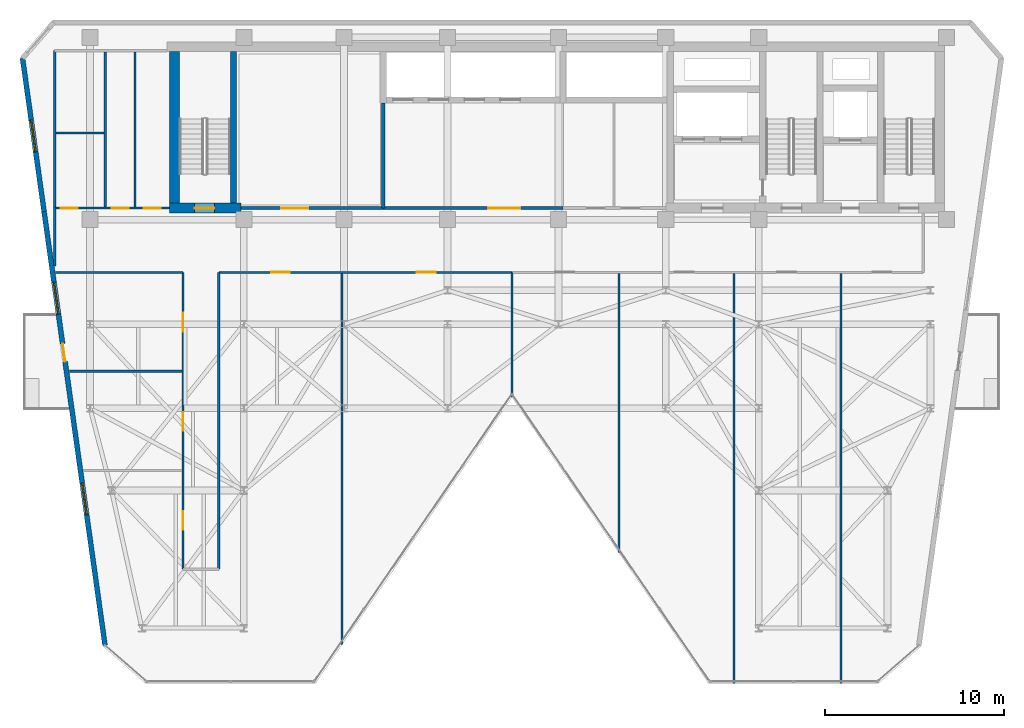
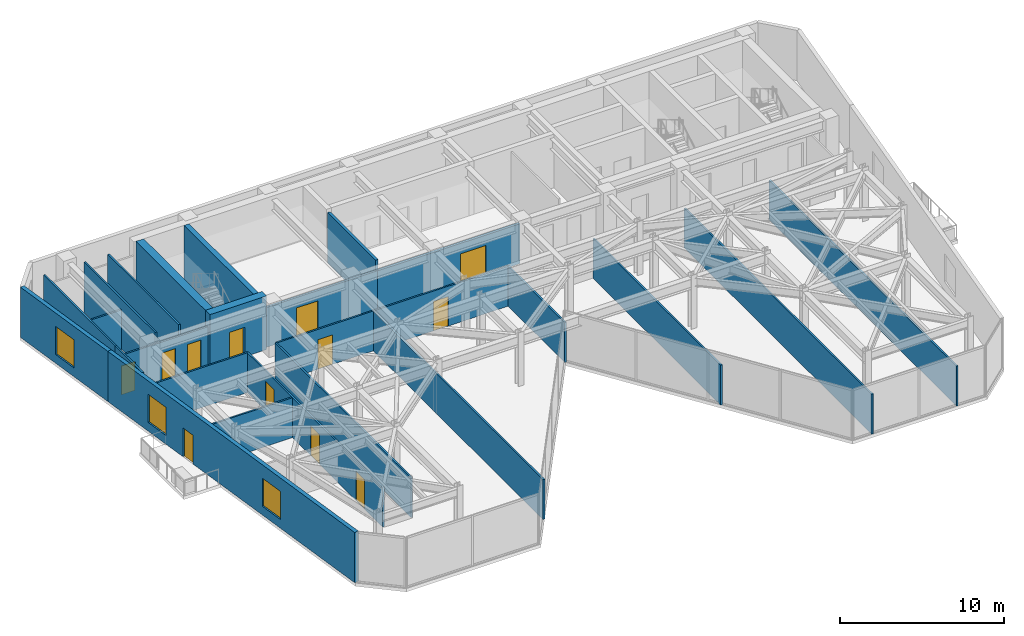
# One storey, part 16 of 21: 24 walls, 12 doors, 3 windows, 15 openings.
"""IFC4 building model written with IfcOpenShell, lengths in metres."""

from ifc_helpers import new_model, si_unit, direction, frame, frame_2d, origin, place, context, subcontext, project, spatial, rectangle, extrude, material, layer, layer_set, type_object, element, fill, save


model = new_model("IFC4")

# Units and contexts
model_context = context("Model", 3, precision=1e-05, world=origin(), true_north=direction((0.0, 1.0)))
body_context = subcontext(model_context, "Body", "Model", "MODEL_VIEW")
ifc_project = project(units=[si_unit("LENGTHUNIT", "METRE"), si_unit("AREAUNIT", "SQUARE_METRE"), si_unit("VOLUMEUNIT", "CUBIC_METRE"), si_unit("PLANEANGLEUNIT", "RADIAN"), si_unit("MASSUNIT", "GRAM", prefix="KILO")], contexts=[model_context])

# Site, building, storey
site_placement = place(None, origin())
site = spatial("IfcSite", under=ifc_project, at=site_placement, CompositionType="ELEMENT")
building_placement = place(site_placement, origin())
building = spatial("IfcBuilding", under=site, at=building_placement, Name="Kravanh Interchange Tower", CompositionType="ELEMENT")
storey_placement = place(building_placement, frame((0.0, 0.0, 216.5)))
storey = spatial("IfcBuildingStorey", under=building, at=storey_placement, Name="L52", CompositionType="ELEMENT", Elevation=216.5)

# Wall, openings, doors
ifc_material_1 = material(Name="Double Acoustic Gypsum Board and Mineral Wool")
ifc_layer_1 = layer(ifc_material_1, 0.1201171875)
ifc_layer_set_1 = layer_set([ifc_layer_1], Name="Acoustic Office Drywall Partition 120mm")
wall_type_1 = type_object("IfcWallType", Name="Acoustic Office Drywall Partition 120mm", PredefinedType="PARTITIONING", material=ifc_layer_set_1)
wall_1_placement = place(storey_placement, frame((16.6201171875, 38.0, 0.0), z_axis=(0.0, 0.0, 1.0), x_axis=(1.0, 0.0, 0.0)))
wall_1 = element("IfcWall", 1, at=wall_1_placement, inside=storey, type_object=wall_type_1, Name="L52 Restroom Corridor Wall 6", PredefinedType="PARTITIONING", context=body_context, shape_type="SweptSolid", body=[
    extrude(rectangle(XDim=6.429931640625, YDim=0.1201171875, at=frame_2d((3.21484375, 0.0))), origin(), (0.0, 0.0, 1.0), 2.971923828125),
])
opening_1_placement = place(wall_1_placement, frame((0.348876953125, 0.0, 0.0)))
opening_1 = element("IfcOpeningElement", 2, at=opening_1_placement, cuts=wall_1, Name="Opening D-95", PredefinedType="OPENING", context=body_context, shape_type="SweptSolid", body=[
    extrude(rectangle(XDim=0.949951171875, YDim=2.14990234375, at=frame_2d((0.47509765625, 1.074951171875))), frame((0.0, 0.070068359375, 0.0), z_axis=(0.0, -1.0, 0.0), x_axis=(1.0, 0.0, 0.0)), (0.0, 0.0, 1.0), 0.14013671875),
])
opening_2_placement = place(wall_1_placement, frame((3.18505859375, 0.0, 0.0)))
opening_2 = element("IfcOpeningElement", 3, at=opening_2_placement, cuts=wall_1, Name="Opening D-95", PredefinedType="OPENING", context=body_context, shape_type="SweptSolid", body=[
    extrude(rectangle(XDim=0.949951171875, YDim=2.14990234375, at=frame_2d((0.47509765625, 1.074951171875))), frame((0.0, 0.070068359375, 0.0), z_axis=(0.0, -1.0, 0.0), x_axis=(1.0, 0.0, 0.0)), (0.0, 0.0, 1.0), 0.14013671875),
])
opening_3_placement = place(wall_1_placement, frame((4.97509765625, 0.0, 0.0)))
opening_3 = element("IfcOpeningElement", 4, at=opening_3_placement, cuts=wall_1, Name="Opening D-95", PredefinedType="OPENING", context=body_context, shape_type="SweptSolid", body=[
    extrude(rectangle(XDim=0.949951171875, YDim=2.14990234375, at=frame_2d((0.47509765625, 1.074951171875))), frame((0.0, 0.070068359375, 0.0), z_axis=(0.0, -1.0, 0.0), x_axis=(1.0, 0.0, 0.0)), (0.0, 0.0, 1.0), 0.14013671875),
])
ifc_material_2 = material(Name="Laminate Solid-Core Timber", Category="wood")
door_type_1 = type_object("IfcDoorType", Name="Accessible Restroom Door 950x2150", OperationType="NOTDEFINED", PredefinedType="DOOR", material=ifc_material_2)
door_1_placement = place(opening_1_placement, origin())
door_1 = element("IfcDoor", 5, at=door_1_placement, inside=storey, type_object=door_type_1, Name="L52 Accessible WC Door", OperationType="SINGLE_SWING_RIGHT", OverallHeight=2.14990234375, OverallWidth=0.949951171875, PredefinedType="DOOR", context=body_context, shape_type="SweptSolid", body=[
    extrude(rectangle(XDim=0.949951171875, YDim=2.14990234375, at=frame_2d((0.47509765625, 1.074951171875))), frame((0.0, 0.02490234375, 0.0), z_axis=(0.0, -1.0, 0.0), x_axis=(1.0, 0.0, 0.0)), (0.0, 0.0, 1.0), 0.050048828125),
])
fill(opening_1, door_1)
door_2_placement = place(opening_2_placement, origin())
door_2 = element("IfcDoor", 6, at=door_2_placement, inside=storey, type_object=door_type_1, Name="L52 Female WC Door", OperationType="SINGLE_SWING_LEFT", OverallHeight=2.14990234375, OverallWidth=0.949951171875, PredefinedType="DOOR", context=body_context, shape_type="SweptSolid", body=[
    extrude(rectangle(XDim=0.949951171875, YDim=2.14990234375, at=frame_2d((0.47509765625, 1.074951171875))), frame((0.0, 0.02490234375, 0.0), z_axis=(0.0, -1.0, 0.0), x_axis=(1.0, 0.0, 0.0)), (0.0, 0.0, 1.0), 0.050048828125),
])
fill(opening_2, door_2)
door_3_placement = place(opening_3_placement, origin())
door_3 = element("IfcDoor", 7, at=door_3_placement, inside=storey, type_object=door_type_1, Name="L52 Male WC Door", OperationType="SINGLE_SWING_RIGHT", OverallHeight=2.14990234375, OverallWidth=0.949951171875, PredefinedType="DOOR", context=body_context, shape_type="SweptSolid", body=[
    extrude(rectangle(XDim=0.949951171875, YDim=2.14990234375, at=frame_2d((0.47509765625, 1.074951171875))), frame((0.0, 0.02490234375, 0.0), z_axis=(0.0, -1.0, 0.0), x_axis=(1.0, 0.0, 0.0)), (0.0, 0.0, 1.0), 0.050048828125),
])
fill(opening_3, door_3)

# Walls
wall_2_placement = place(storey_placement, frame((16.6201171875, 38.0, 0.0), z_axis=(0.0, 0.0, 1.0), x_axis=(0.0, 1.0, 0.0)))
element("IfcWall", 8, at=wall_2_placement, inside=storey, type_object=wall_type_1, Name="L52 Restroom West Enclosure 7", PredefinedType="PARTITIONING", context=body_context, shape_type="SweptSolid", body=[
    extrude(rectangle(XDim=8.800048828125, YDim=0.1201171875, at=frame_2d((4.39990234375, 0.0))), origin(), (0.0, 0.0, 1.0), 3.7451171875),
])
for number, where, z_axis, x_axis, name in (
    (9, (19.449951171875, 38.068115234375, 0.0), (0.0, 0.0, 1.0), (0.0, 1.0, 0.0), "L52 Interior Partition 9"),
    (10, (21.110107421875, 38.068115234375, 0.0), (0.0, 0.0, 1.0), (0.0, 1.0, 0.0), "L52 Interior Partition 10"),
):
    element("IfcWall", number, at=place(storey_placement, frame(where, z_axis=z_axis, x_axis=x_axis)), inside=storey, type_object=wall_type_1, Name=name, PredefinedType="PARTITIONING", context=body_context, shape_type="SweptSolid", body=[
        extrude(rectangle(XDim=8.663818359375, YDim=0.1201171875, at=frame_2d((4.33203125, 0.0))), origin(), (0.0, 0.0, 1.0), 3.7451171875),
    ])
wall_3_placement = place(storey_placement, frame((16.68798828125, 42.199951171875, 0.0), z_axis=(0.0, 0.0, 1.0), x_axis=(1.0, 0.0, 0.0)))
element("IfcWall", 11, at=wall_3_placement, inside=storey, type_object=wall_type_1, Name="L52 Interior Partition 11", PredefinedType="PARTITIONING", context=body_context, shape_type="SweptSolid", body=[
    extrude(rectangle(XDim=2.694091796875, YDim=0.1201171875, at=frame_2d((1.34716796875, 0.0))), origin(), (0.0, 0.0, 1.0), 2.971923828125),
])
wall_4_placement = place(storey_placement, frame((16.66943359375, 34.39990234375, 0.0), z_axis=(0.0, 0.0, 1.0), x_axis=(1.0, 0.0, 0.0)))
element("IfcWall", 12, at=wall_4_placement, inside=storey, type_object=wall_type_1, Name="L52 Interior Partition 12", PredefinedType="PARTITIONING", context=body_context, shape_type="SweptSolid", body=[
    extrude(rectangle(XDim=7.130615234375, YDim=0.1201171875, at=frame_2d((3.5654296875, 0.0))), origin(), (0.0, 0.0, 1.0), 2.971923828125),
])

# Wall, openings, doors
wall_5_placement = place(storey_placement, frame((25.800048828125, 34.39990234375, 0.0), z_axis=(0.0, 0.0, 1.0), x_axis=(1.0, 0.0, 0.0)))
wall_5 = element("IfcWall", 13, at=wall_5_placement, inside=storey, type_object=wall_type_1, Name="L52 Interior Partition 13", PredefinedType="PARTITIONING", context=body_context, shape_type="SweptSolid", body=[
    extrude(rectangle(XDim=16.39990234375, YDim=0.1201171875, at=frame_2d((8.199951171875, 0.0))), origin(), (0.0, 0.0, 1.0), 2.971923828125),
])
opening_4_placement = place(wall_5_placement, frame((2.919921875, 0.0, 0.0)))
opening_4 = element("IfcOpeningElement", 14, at=opening_4_placement, cuts=wall_5, Name="Opening D-105", PredefinedType="OPENING", context=body_context, shape_type="SweptSolid", body=[
    extrude(rectangle(XDim=1.050048828125, YDim=2.199951171875, at=frame_2d((0.52490234375, 1.10009765625))), frame((0.0, 0.070068359375, 0.0), z_axis=(0.0, -1.0, 0.0), x_axis=(1.0, 0.0, 0.0)), (0.0, 0.0, 1.0), 0.14013671875),
])
opening_5_placement = place(wall_5_placement, frame((11.079833984375, 0.0, 0.0)))
opening_5 = element("IfcOpeningElement", 15, at=opening_5_placement, cuts=wall_5, Name="Opening D-105", PredefinedType="OPENING", context=body_context, shape_type="SweptSolid", body=[
    extrude(rectangle(XDim=1.050048828125, YDim=2.199951171875, at=frame_2d((0.52490234375, 1.10009765625))), frame((0.0, 0.070068359375, 0.0), z_axis=(0.0, -1.0, 0.0), x_axis=(1.0, 0.0, 0.0)), (0.0, 0.0, 1.0), 0.14013671875),
])
ifc_material_3 = material(Name="Acoustic Glazed Oak and Aluminium", Category="aluminium")
door_type_2 = type_object("IfcDoorType", Name="Office Workplace Door 1050x2200", OperationType="NOTDEFINED", PredefinedType="DOOR", material=ifc_material_3)
door_4_placement = place(opening_4_placement, origin())
door_4 = element("IfcDoor", 16, at=door_4_placement, inside=storey, type_object=door_type_2, Name="L52 Workplace Office 14A Door", OperationType="SINGLE_SWING_RIGHT", OverallHeight=2.199951171875, OverallWidth=1.050048828125, PredefinedType="DOOR", context=body_context, shape_type="SweptSolid", body=[
    extrude(rectangle(XDim=1.050048828125, YDim=2.199951171875, at=frame_2d((0.52490234375, 1.10009765625))), frame((0.0, 0.02490234375, 0.0), z_axis=(0.0, -1.0, 0.0), x_axis=(1.0, 0.0, 0.0)), (0.0, 0.0, 1.0), 0.050048828125),
])
fill(opening_4, door_4)
door_5_placement = place(opening_5_placement, origin())
door_5 = element("IfcDoor", 17, at=door_5_placement, inside=storey, type_object=door_type_2, Name="L52 Commons Lounge 14A Door", OperationType="SINGLE_SWING_LEFT", OverallHeight=2.199951171875, OverallWidth=1.050048828125, PredefinedType="DOOR", context=body_context, shape_type="SweptSolid", body=[
    extrude(rectangle(XDim=1.050048828125, YDim=2.199951171875, at=frame_2d((0.52490234375, 1.10009765625))), frame((0.0, 0.02490234375, 0.0), z_axis=(0.0, -1.0, 0.0), x_axis=(1.0, 0.0, 0.0)), (0.0, 0.0, 1.0), 0.050048828125),
])
fill(opening_5, door_5)

# Wall
wall_6_placement = place(storey_placement, frame((16.6201171875, 34.751953125, 0.0), z_axis=(0.0, 0.0, 1.0), x_axis=(0.0, 1.0, 0.0)))
element("IfcWall", 18, at=wall_6_placement, inside=storey, type_object=wall_type_1, Name="L52 Interior Partition 15", PredefinedType="PARTITIONING", context=body_context, shape_type="SweptSolid", body=[
    extrude(rectangle(XDim=3.298095703125, YDim=0.1201171875, at=frame_2d((1.64892578125, 0.0))), origin(), (0.0, 0.0, 1.0), 3.7451171875),
])

# Wall, openings, doors
wall_7_placement = place(storey_placement, frame((23.800048828125, 17.800048828125, 0.0), z_axis=(0.0, 0.0, 1.0), x_axis=(0.0, 1.0, 0.0)))
wall_7 = element("IfcWall", 19, at=wall_7_placement, inside=storey, type_object=wall_type_1, Name="L52 Interior Partition 17", PredefinedType="PARTITIONING", context=body_context, shape_type="SweptSolid", body=[
    extrude(rectangle(XDim=16.599853515625, YDim=0.1201171875, at=frame_2d((8.2998046875, 0.0))), origin(), (0.0, 0.0, 1.0), 2.971923828125),
])
opening_6_placement = place(wall_7_placement, frame((2.19970703125, 0.0, 0.0)))
opening_6 = element("IfcOpeningElement", 20, at=opening_6_placement, cuts=wall_7, Name="Opening D-105", PredefinedType="OPENING", context=body_context, shape_type="SweptSolid", body=[
    extrude(rectangle(XDim=1.050048828125, YDim=2.199951171875, at=frame_2d((0.52490234375, 1.10009765625))), frame((0.0, 0.070068359375, 0.0), z_axis=(0.0, -1.0, 0.0), x_axis=(1.0, 0.0, 0.0)), (0.0, 0.0, 1.0), 0.14013671875),
])
opening_7_placement = place(wall_7_placement, frame((7.734619140625, 0.0, 0.0)))
opening_7 = element("IfcOpeningElement", 21, at=opening_7_placement, cuts=wall_7, Name="Opening D-105", PredefinedType="OPENING", context=body_context, shape_type="SweptSolid", body=[
    extrude(rectangle(XDim=1.050048828125, YDim=2.199951171875, at=frame_2d((0.52490234375, 1.10009765625))), frame((0.0, 0.070068359375, 0.0), z_axis=(0.0, -1.0, 0.0), x_axis=(1.0, 0.0, 0.0)), (0.0, 0.0, 1.0), 0.14013671875),
])
opening_8_placement = place(wall_7_placement, frame((13.284912109375, 0.0, 0.0)))
opening_8 = element("IfcOpeningElement", 22, at=opening_8_placement, cuts=wall_7, Name="Opening D-105", PredefinedType="OPENING", context=body_context, shape_type="SweptSolid", body=[
    extrude(rectangle(XDim=1.050048828125, YDim=2.199951171875, at=frame_2d((0.52490234375, 1.10009765625))), frame((0.0, 0.070068359375, 0.0), z_axis=(0.0, -1.0, 0.0), x_axis=(1.0, 0.0, 0.0)), (0.0, 0.0, 1.0), 0.14013671875),
])
door_6_placement = place(opening_6_placement, origin())
door_6 = element("IfcDoor", 23, at=door_6_placement, inside=storey, type_object=door_type_2, Name="L52 SW Office 14D Door", OperationType="SINGLE_SWING_LEFT", OverallHeight=2.199951171875, OverallWidth=1.050048828125, PredefinedType="DOOR", context=body_context, shape_type="SweptSolid", body=[
    extrude(rectangle(XDim=1.050048828125, YDim=2.199951171875, at=frame_2d((0.52490234375, 1.10009765625))), frame((0.0, 0.02490234375, 0.0), z_axis=(0.0, -1.0, 0.0), x_axis=(1.0, 0.0, 0.0)), (0.0, 0.0, 1.0), 0.050048828125),
])
fill(opening_6, door_6)
door_7_placement = place(opening_7_placement, origin())
door_7 = element("IfcDoor", 24, at=door_7_placement, inside=storey, type_object=door_type_2, Name="L52 West Study 14B Door", OperationType="SINGLE_SWING_RIGHT", OverallHeight=2.199951171875, OverallWidth=1.050048828125, PredefinedType="DOOR", context=body_context, shape_type="SweptSolid", body=[
    extrude(rectangle(XDim=1.050048828125, YDim=2.199951171875, at=frame_2d((0.52490234375, 1.10009765625))), frame((0.0, 0.02490234375, 0.0), z_axis=(0.0, -1.0, 0.0), x_axis=(1.0, 0.0, 0.0)), (0.0, 0.0, 1.0), 0.050048828125),
])
fill(opening_7, door_7)
door_8_placement = place(opening_8_placement, origin())
door_8 = element("IfcDoor", 25, at=door_8_placement, inside=storey, type_object=door_type_2, Name="L52 West Tea Kitchenette Door", OperationType="SINGLE_SWING_LEFT", OverallHeight=2.199951171875, OverallWidth=1.050048828125, PredefinedType="DOOR", context=body_context, shape_type="SweptSolid", body=[
    extrude(rectangle(XDim=1.050048828125, YDim=2.199951171875, at=frame_2d((0.52490234375, 1.10009765625))), frame((0.0, 0.02490234375, 0.0), z_axis=(0.0, -1.0, 0.0), x_axis=(1.0, 0.0, 0.0)), (0.0, 0.0, 1.0), 0.050048828125),
])
fill(opening_8, door_8)

# Walls
wall_8_placement = place(storey_placement, frame((25.800048828125, 17.800048828125, 0.0), z_axis=(0.0, 0.0, 1.0), x_axis=(0.0, 1.0, 0.0)))
element("IfcWall", 26, at=wall_8_placement, inside=storey, type_object=wall_type_1, Name="L52 Interior Partition 18", PredefinedType="PARTITIONING", context=body_context, shape_type="SweptSolid", body=[
    extrude(rectangle(XDim=16.599853515625, YDim=0.1201171875, at=frame_2d((8.2998046875, 0.0))), origin(), (0.0, 0.0, 1.0), 2.971923828125),
])
wall_9_placement = place(storey_placement, frame((17.446533203125, 28.8701171875, 0.0), z_axis=(0.0, 0.0, 1.0), x_axis=(1.0, 0.0, 0.0)))
element("IfcWall", 27, at=wall_9_placement, inside=storey, type_object=wall_type_1, Name="L52 Interior Partition 21", PredefinedType="PARTITIONING", context=body_context, shape_type="SweptSolid", body=[
    extrude(rectangle(XDim=6.285400390625, YDim=0.1201171875, at=frame_2d((3.142578125, 0.0))), origin(), (0.0, 0.0, 1.0), 2.971923828125),
])
wall_10_placement = place(storey_placement, frame((42.199951171875, 27.426513671875, 0.0), z_axis=(0.0, 0.0, 1.0), x_axis=(0.0, 1.0, 0.0)))
element("IfcWall", 28, at=wall_10_placement, inside=storey, type_object=wall_type_1, Name="L52 Interior Partition 22", PredefinedType="PARTITIONING", context=body_context, shape_type="SweptSolid", body=[
    extrude(rectangle(XDim=6.973388671875, YDim=0.1201171875, at=frame_2d((3.48681640625, 0.0))), origin(), (0.0, 0.0, 1.0), 2.971923828125),
])
wall_11_placement = place(storey_placement, frame((32.68994140625, 13.59375, 0.0), z_axis=(0.0, 0.0, 1.0), x_axis=(0.0, 1.0, 0.0)))
element("IfcWall", 29, at=wall_11_placement, inside=storey, type_object=wall_type_1, Name="L52 Interior Partition 23", PredefinedType="PARTITIONING", context=body_context, shape_type="SweptSolid", body=[
    extrude(rectangle(XDim=20.73828125, YDim=0.1201171875, at=frame_2d((10.369140625, 0.0))), origin(), (0.0, 0.0, 1.0), 2.971923828125),
])
wall_12_placement = place(storey_placement, frame((48.179931640625, 18.728271484375, 0.0), z_axis=(0.0, 0.0, 1.0), x_axis=(0.0, 1.0, 0.0)))
element("IfcWall", 30, at=wall_12_placement, inside=storey, type_object=wall_type_1, Name="L52 Interior Partition 24", PredefinedType="PARTITIONING", context=body_context, shape_type="SweptSolid", body=[
    extrude(rectangle(XDim=15.603759765625, YDim=0.1201171875, at=frame_2d((7.8017578125, 0.0))), origin(), (0.0, 0.0, 1.0), 2.971923828125),
])
for number, where, z_axis, x_axis, name in (
    (31, (54.6201171875, 11.4150390625, 0.0), (0.0, 0.0, 1.0), (0.0, 1.0, 0.0), "L52 Interior Partition 25"),
    (32, (60.60009765625, 11.4150390625, 0.0), (0.0, 0.0, 1.0), (0.0, 1.0, 0.0), "L52 Interior Partition 26"),
):
    element("IfcWall", number, at=place(storey_placement, frame(where, z_axis=z_axis, x_axis=x_axis)), inside=storey, type_object=wall_type_1, Name=name, PredefinedType="PARTITIONING", context=body_context, shape_type="SweptSolid", body=[
        extrude(rectangle(XDim=22.9169921875, YDim=0.1201171875, at=frame_2d((11.45849609375, 0.0))), origin(), (0.0, 0.0, 1.0), 2.971923828125),
    ])
ifc_material_4 = material(Name="Concrete C60/75", Category="concrete")
ifc_layer_2 = layer(ifc_material_4, 0.35009765625)
ifc_layer_set_2 = layer_set([ifc_layer_2], Name="Core Shear Wall Concrete C60/75 350mm")
wall_type_2 = type_object("IfcWallType", Name="Core Shear Wall Concrete C60/75 350mm", PredefinedType="SHEAR", material=ifc_layer_set_2)
wall_13_placement = place(storey_placement, frame((26.625, 38.27490234375, 0.0), z_axis=(0.0, 0.0, 1.0), x_axis=(0.0, 1.0, 0.0)))
element("IfcWall", 33, at=wall_13_placement, inside=storey, type_object=wall_type_2, Name="L52 Stair ST3 East Shear Wall", PredefinedType="SHEAR", context=body_context, shape_type="SweptSolid", body=[
    extrude(rectangle(XDim=8.47509765625, YDim=0.35009765625, at=frame_2d((4.237548828125, 0.0))), origin(), (0.0, 0.0, 1.0), 4.0),
])

# Wall, opening, door
ifc_material_5 = material(Name="Concrete C70/85", Category="concrete")
ifc_layer_3 = layer(ifc_material_5, 0.550048828125)
ifc_layer_set_3 = layer_set([ifc_layer_3], Name="Core Shear Wall Concrete C70/85 550mm")
wall_type_3 = type_object("IfcWallType", Name="Core Shear Wall Concrete C70/85 550mm", PredefinedType="SHEAR", material=ifc_layer_set_3)
wall_14_placement = place(storey_placement, frame((23.050048828125, 38.0, 0.0), z_axis=(0.0, 0.0, 1.0), x_axis=(1.0, 0.0, 0.0)))
wall_14 = element("IfcWall", 34, at=wall_14_placement, inside=storey, type_object=wall_type_3, Name="L52 Stair ST3 South Shear Wall", PredefinedType="SHEAR", context=body_context, shape_type="SweptSolid", body=[
    extrude(rectangle(XDim=4.0, YDim=0.550048828125, at=frame_2d((2.0, 0.0))), origin(), (0.0, 0.0, 1.0), 4.0),
])
opening_9_placement = place(wall_14_placement, frame((1.39990234375, 0.0, 0.0)))
opening_9 = element("IfcOpeningElement", 35, at=opening_9_placement, cuts=wall_14, Name="Opening D-STAIR-110", PredefinedType="OPENING", context=body_context, shape_type="SweptSolid", body=[
    extrude(rectangle(XDim=1.10009765625, YDim=2.199951171875, at=frame_2d((0.550048828125, 1.10009765625))), frame((0.0, 0.28515625, 0.0), z_axis=(0.0, -1.0, 0.0), x_axis=(1.0, 0.0, 0.0)), (0.0, 0.0, 1.0), 0.570068359375),
])
ifc_material_6 = material(Name="Structural Steel S355", Category="steel")
door_type_3 = type_object("IfcDoorType", Name="Fire-Rated Exit Stair Door 1100x2200", OperationType="NOTDEFINED", PredefinedType="DOOR", material=ifc_material_6)
door_9_placement = place(opening_9_placement, origin())
door_9 = element("IfcDoor", 36, at=door_9_placement, inside=storey, type_object=door_type_3, Name="L52 Exit Stair ST3 Door", OperationType="SINGLE_SWING_RIGHT", OverallHeight=2.199951171875, OverallWidth=1.10009765625, PredefinedType="DOOR", context=body_context, shape_type="SweptSolid", body=[
    extrude(rectangle(XDim=1.10009765625, YDim=2.199951171875, at=frame_2d((0.550048828125, 1.10009765625))), frame((0.0, 0.02490234375, 0.0), z_axis=(0.0, -1.0, 0.0), x_axis=(1.0, 0.0, 0.0)), (0.0, 0.0, 1.0), 0.050048828125),
])
fill(opening_9, door_9)

# Wall
wall_15_placement = place(storey_placement, frame((23.324951171875, 38.27490234375, 0.0), z_axis=(0.0, 0.0, 1.0), x_axis=(0.0, 1.0, 0.0)))
element("IfcWall", 37, at=wall_15_placement, inside=storey, type_object=wall_type_3, Name="L52 Stair ST3 West Shear Wall", PredefinedType="SHEAR", context=body_context, shape_type="SweptSolid", body=[
    extrude(rectangle(XDim=8.47509765625, YDim=0.550048828125, at=frame_2d((4.237548828125, 0.0))), origin(), (0.0, 0.0, 1.0), 4.0),
])

# Wall, openings, door, windows
ifc_material_7 = material(Name="Insulated Precast Concrete C40/50 with Bronze Cladding", Category="concrete")
ifc_layer_4 = layer(ifc_material_7, 0.280029296875)
ifc_layer_set_4 = layer_set([ifc_layer_4], Name="Exterior Insulated Concrete C40/50 Bronze Spandrel Wall 280mm")
wall_type_4 = type_object("IfcWallType", Name="Exterior Insulated Concrete C40/50 Bronze Spandrel Wall 280mm", PredefinedType="STANDARD", material=ifc_layer_set_4)
wall_16_placement = place(storey_placement, frame((19.434326171875, 13.540771484375, 0.0), z_axis=(0.0, 0.0, 1.0), x_axis=(-0.139173290738, 0.99026804207, 0.0)))
wall_16 = element("IfcWall", 38, at=wall_16_placement, inside=storey, type_object=wall_type_4, Name="L52 Exterior Wall 1", PredefinedType="STANDARD", context=body_context, shape_type="SweptSolid", body=[
    extrude(rectangle(XDim=24.497802734375, YDim=0.280029296875, at=frame_2d((12.2490234375, 0.0))), origin(), (0.0, 0.0, 1.0), 3.7451171875),
])
opening_10_placement = place(wall_16_placement, frame((16.033203125, 0.0, 0.0)))
opening_10 = element("IfcOpeningElement", 39, at=opening_10_placement, cuts=wall_16, Name="Opening ED-BAL100", PredefinedType="OPENING", context=body_context, shape_type="SweptSolid", body=[
    extrude(rectangle(XDim=1.0, YDim=2.14990234375, at=frame_2d((0.5, 1.074951171875))), frame((0.0, 0.14990234375, 0.0), z_axis=(0.0, -1.0, 0.0), x_axis=(1.0, 0.0, 0.0)), (0.0, 0.0, 1.0), 0.300048828125),
])
opening_11_placement = place(wall_16_placement, frame((7.36767578125, 0.0, 0.64990234375)))
opening_11 = element("IfcOpeningElement", 40, at=opening_11_placement, cuts=wall_16, Name="Opening WN-180X210", PredefinedType="OPENING", context=body_context, shape_type="SweptSolid", body=[
    extrude(rectangle(XDim=1.800048828125, YDim=2.10009765625, at=frame_2d((0.89990234375, 1.050048828125))), frame((0.0, 0.14990234375, 0.0), z_axis=(0.0, -1.0, 0.0), x_axis=(1.0, 0.0, 0.0)), (0.0, 0.0, 1.0), 0.300048828125),
])
opening_12_placement = place(wall_16_placement, frame((18.7080078125, 0.0, 0.64990234375)))
opening_12 = element("IfcOpeningElement", 41, at=opening_12_placement, cuts=wall_16, Name="Opening WN-180X210", PredefinedType="OPENING", context=body_context, shape_type="SweptSolid", body=[
    extrude(rectangle(XDim=1.800048828125, YDim=2.10009765625, at=frame_2d((0.89990234375, 1.050048828125))), frame((0.0, 0.14990234375, 0.0), z_axis=(0.0, -1.0, 0.0), x_axis=(1.0, 0.0, 0.0)), (0.0, 0.0, 1.0), 0.300048828125),
])
ifc_material_8 = material(Name="Thermally Broken Bronze Aluminium and Laminated Glass", Category="aluminium")
door_type_4 = type_object("IfcDoorType", Name="Balcony Glazed Door 1000x2150", OperationType="NOTDEFINED", PredefinedType="DOOR", material=ifc_material_8)
door_10_placement = place(opening_10_placement, origin())
door_10 = element("IfcDoor", 42, at=door_10_placement, inside=storey, type_object=door_type_4, Name="L52 W Tree Balcony Access Door", OperationType="SINGLE_SWING_RIGHT", OverallHeight=2.14990234375, OverallWidth=1.0, PredefinedType="DOOR", context=body_context, shape_type="SweptSolid", body=[
    extrude(rectangle(XDim=1.0, YDim=2.14990234375, at=frame_2d((0.5, 1.074951171875))), frame((0.0, 0.02490234375, 0.0), z_axis=(0.0, -1.0, 0.0), x_axis=(1.0, 0.0, 0.0)), (0.0, 0.0, 1.0), 0.050048828125),
])
fill(opening_10, door_10)
ifc_material_9 = material(Name="Thermally Broken Bronze Aluminium and Low-E Glass", Category="aluminium")
window_type = type_object("IfcWindowType", Name="Tower Pier Window 1800x2100", PartitioningType="SINGLE_PANEL", PredefinedType="WINDOW", material=ifc_material_9)
window_1_placement = place(opening_11_placement, origin())
window_1 = element("IfcWindow", 43, at=window_1_placement, inside=storey, type_object=window_type, Name="L52 Facade Window 1A", OverallHeight=2.10009765625, OverallWidth=1.800048828125, PartitioningType="SINGLE_PANEL", PredefinedType="WINDOW", context=body_context, shape_type="SweptSolid", body=[
    extrude(rectangle(XDim=1.800048828125, YDim=2.10009765625, at=frame_2d((0.89990234375, 1.050048828125))), frame((0.0, 0.030029296875, 0.0), z_axis=(0.0, -1.0, 0.0), x_axis=(1.0, 0.0, 0.0)), (0.0, 0.0, 1.0), 0.06005859375),
])
fill(opening_11, window_1)
window_2_placement = place(opening_12_placement, origin())
window_2 = element("IfcWindow", 44, at=window_2_placement, inside=storey, type_object=window_type, Name="L52 Facade Window 1B", OverallHeight=2.10009765625, OverallWidth=1.800048828125, PartitioningType="SINGLE_PANEL", PredefinedType="WINDOW", context=body_context, shape_type="SweptSolid", body=[
    extrude(rectangle(XDim=1.800048828125, YDim=2.10009765625, at=frame_2d((0.89990234375, 1.050048828125))), frame((0.0, 0.030029296875, 0.0), z_axis=(0.0, -1.0, 0.0), x_axis=(1.0, 0.0, 0.0)), (0.0, 0.0, 1.0), 0.06005859375),
])
fill(opening_12, window_2)

# Wall, opening, window
wall_17_placement = place(storey_placement, frame((16.02490234375, 37.800048828125, 0.0), z_axis=(0.0, 0.0, 1.0), x_axis=(-0.13918102754, 0.990266954701, 0.0)))
wall_17 = element("IfcWall", 45, at=wall_17_placement, inside=storey, type_object=wall_type_4, Name="L52 Exterior Wall 2", PredefinedType="STANDARD", context=body_context, shape_type="SweptSolid", body=[
    extrude(rectangle(XDim=8.667236328125, YDim=0.280029296875, at=frame_2d((4.33349609375, 0.0))), origin(), (0.0, 0.0, 1.0), 3.7451171875),
])
opening_13_placement = place(wall_17_placement, frame((3.37353515625, 0.0, 0.64990234375)))
opening_13 = element("IfcOpeningElement", 46, at=opening_13_placement, cuts=wall_17, Name="Opening WN-180X210", PredefinedType="OPENING", context=body_context, shape_type="SweptSolid", body=[
    extrude(rectangle(XDim=1.800048828125, YDim=2.10009765625, at=frame_2d((0.89990234375, 1.050048828125))), frame((0.0, 0.14990234375, 0.0), z_axis=(0.0, -1.0, 0.0), x_axis=(1.0, 0.0, 0.0)), (0.0, 0.0, 1.0), 0.300048828125),
])
window_3_placement = place(opening_13_placement, origin())
window_3 = element("IfcWindow", 47, at=window_3_placement, inside=storey, type_object=window_type, Name="L52 Corner Window 2", OverallHeight=2.10009765625, OverallWidth=1.800048828125, PartitioningType="SINGLE_PANEL", PredefinedType="WINDOW", context=body_context, shape_type="SweptSolid", body=[
    extrude(rectangle(XDim=1.800048828125, YDim=2.10009765625, at=frame_2d((0.89990234375, 1.050048828125))), frame((0.0, 0.030029296875, 0.0), z_axis=(0.0, -1.0, 0.0), x_axis=(1.0, 0.0, 0.0)), (0.0, 0.0, 1.0), 0.06005859375),
])
fill(opening_13, window_3)

# Wall
ifc_material_10 = material(Name="Autoclaved Aerated Concrete C30/37 Blockwork", Category="masonry")
ifc_layer_5 = layer(ifc_material_10, 0.179931640625)
ifc_layer_set_5 = layer_set([ifc_layer_5], Name="Fire-Rated Lobby and Corridor Wall Concrete C30/37 180mm")
wall_type_5 = type_object("IfcWallType", Name="Fire-Rated Lobby and Corridor Wall Concrete C30/37 180mm", PredefinedType="STANDARD", material=ifc_layer_set_5)
wall_18_placement = place(storey_placement, frame((35.0, 38.0, 0.0), z_axis=(0.0, 0.0, 1.0), x_axis=(0.0, 1.0, 0.0)))
element("IfcWall", 48, at=wall_18_placement, inside=storey, type_object=wall_type_5, Name="L52 Interior Partition 4", PredefinedType="STANDARD", context=body_context, shape_type="SweptSolid", body=[
    extrude(rectangle(XDim=5.875, YDim=0.179931640625, at=frame_2d((2.9375, 0.0))), origin(), (0.0, 0.0, 1.0), 3.7451171875),
])

# Wall, opening, door
wall_19_placement = place(storey_placement, frame((35.0, 38.0, 0.0), z_axis=(0.0, 0.0, 1.0), x_axis=(1.0, 0.0, 0.0)))
wall_19 = element("IfcWall", 49, at=wall_19_placement, inside=storey, type_object=wall_type_5, Name="L52 Interior Partition 5", PredefinedType="STANDARD", context=body_context, shape_type="SweptSolid", body=[
    extrude(rectangle(XDim=10.050048828125, YDim=0.179931640625, at=frame_2d((5.02490234375, 0.0))), origin(), (0.0, 0.0, 1.0), 2.971923828125),
])
opening_14_placement = place(wall_19_placement, frame((5.85791015625, 0.0, 0.0)))
opening_14 = element("IfcOpeningElement", 50, at=opening_14_placement, cuts=wall_19, Name="Opening DBL-180", PredefinedType="OPENING", context=body_context, shape_type="SweptSolid", body=[
    extrude(rectangle(XDim=1.800048828125, YDim=2.199951171875, at=frame_2d((0.89990234375, 1.10009765625))), frame((0.0, 0.10009765625, 0.0), z_axis=(0.0, -1.0, 0.0), x_axis=(1.0, 0.0, 0.0)), (0.0, 0.0, 1.0), 0.199951171875),
])
ifc_material_11 = material(Name="Structural Steel S355", Category="steel")
door_type_5 = type_object("IfcDoorType", Name="Lift Lobby Double Fire Door 1800x2200", OperationType="DOUBLE_DOOR_SINGLE_SWING", PredefinedType="DOOR", material=ifc_material_11)
door_11_placement = place(opening_14_placement, origin())
door_11 = element("IfcDoor", 51, at=door_11_placement, inside=storey, type_object=door_type_5, Name="L52 Mid-Rise Lift Lobby Door", OperationType="DOUBLE_DOOR_SINGLE_SWING", OverallHeight=2.199951171875, OverallWidth=1.800048828125, PredefinedType="DOOR", context=body_context, shape_type="SweptSolid", body=[
    extrude(rectangle(XDim=1.800048828125, YDim=2.199951171875, at=frame_2d((0.89990234375, 1.10009765625))), frame((0.0, 0.02490234375, 0.0), z_axis=(0.0, -1.0, 0.0), x_axis=(1.0, 0.0, 0.0)), (0.0, 0.0, 1.0), 0.050048828125),
])
fill(opening_14, door_11)

ifc_material_12 = material(Name="Twin Stud Acoustic Gypsum Board Wall")
ifc_layer_6 = layer(ifc_material_12, 0.14990234375)
ifc_layer_set_6 = layer_set([ifc_layer_6], Name="Medium-Duty Acoustic Partition 150mm")
wall_type_6 = type_object("IfcWallType", Name="Medium-Duty Acoustic Partition 150mm", PredefinedType="PARTITIONING", material=ifc_layer_set_6)
wall_20_placement = place(storey_placement, frame((27.050048828125, 38.0, 0.0), z_axis=(0.0, 0.0, 1.0), x_axis=(1.0, 0.0, 0.0)))
wall_20 = element("IfcWall", 52, at=wall_20_placement, inside=storey, type_object=wall_type_6, Name="L52 Interior Partition 3", PredefinedType="PARTITIONING", context=body_context, shape_type="SweptSolid", body=[
    extrude(rectangle(XDim=7.949951171875, YDim=0.14990234375, at=frame_2d((3.97509765625, 0.0))), origin(), (0.0, 0.0, 1.0), 2.971923828125),
])
opening_15_placement = place(wall_20_placement, frame((2.25, 0.0, 0.0)))
opening_15 = element("IfcOpeningElement", 53, at=opening_15_placement, cuts=wall_20, Name="Opening DBL-150", PredefinedType="OPENING", context=body_context, shape_type="SweptSolid", body=[
    extrude(rectangle(XDim=1.5, YDim=2.199951171875, at=frame_2d((0.75, 1.10009765625))), frame((0.0, 0.0849609375, 0.0), z_axis=(0.0, -1.0, 0.0), x_axis=(1.0, 0.0, 0.0)), (0.0, 0.0, 1.0), 0.169921875),
])
ifc_material_13 = material(Name="Acoustic Timber and Toughened Glass", Category="wood")
door_type_6 = type_object("IfcDoorType", Name="Conference Hall Double Door 1500x2200", OperationType="DOUBLE_DOOR_SINGLE_SWING", PredefinedType="DOOR", material=ifc_material_13)
door_12_placement = place(opening_15_placement, origin())
door_12 = element("IfcDoor", 54, at=door_12_placement, inside=storey, type_object=door_type_6, Name="L52 Core Wellness Studio Door", OperationType="DOUBLE_DOOR_SINGLE_SWING", OverallHeight=2.199951171875, OverallWidth=1.5, PredefinedType="DOOR", context=body_context, shape_type="SweptSolid", body=[
    extrude(rectangle(XDim=1.5, YDim=2.199951171875, at=frame_2d((0.75, 1.10009765625))), frame((0.0, 0.02490234375, 0.0), z_axis=(0.0, -1.0, 0.0), x_axis=(1.0, 0.0, 0.0)), (0.0, 0.0, 1.0), 0.050048828125),
])
fill(opening_15, door_12)

save(model, "model.ifc")
